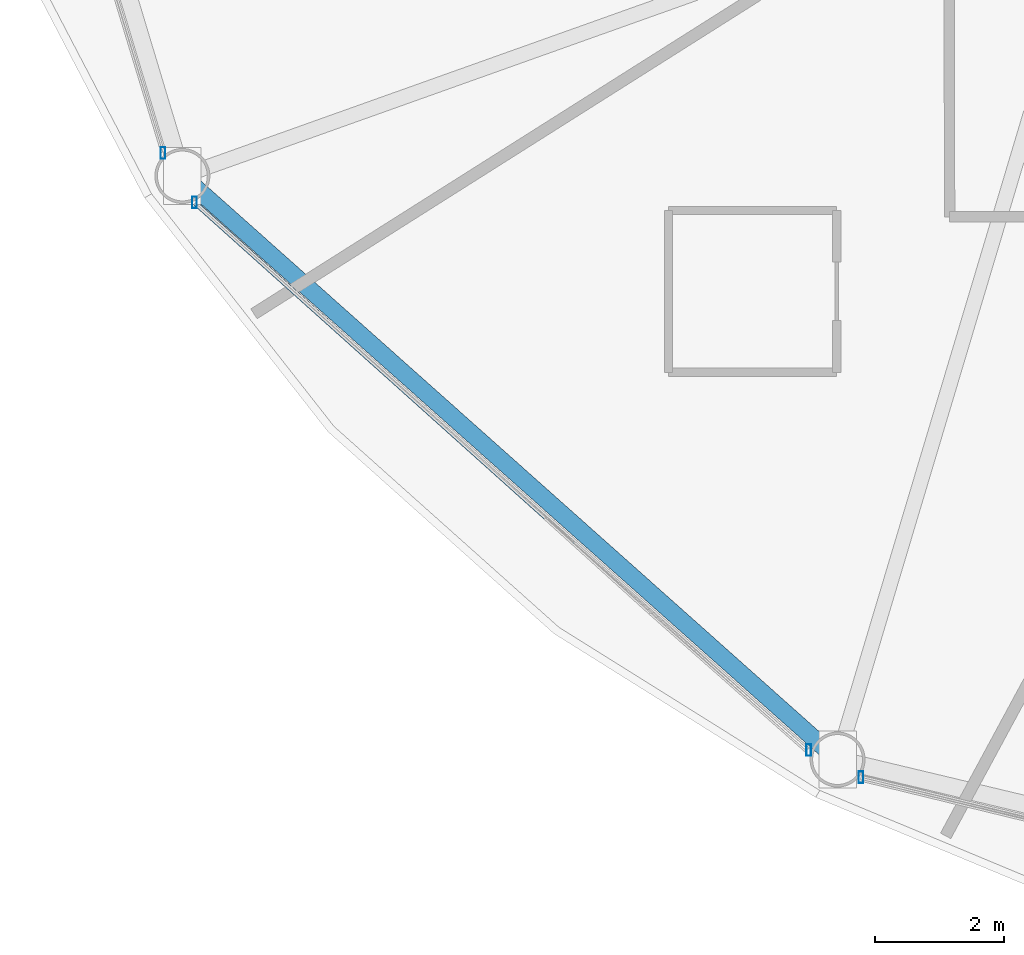
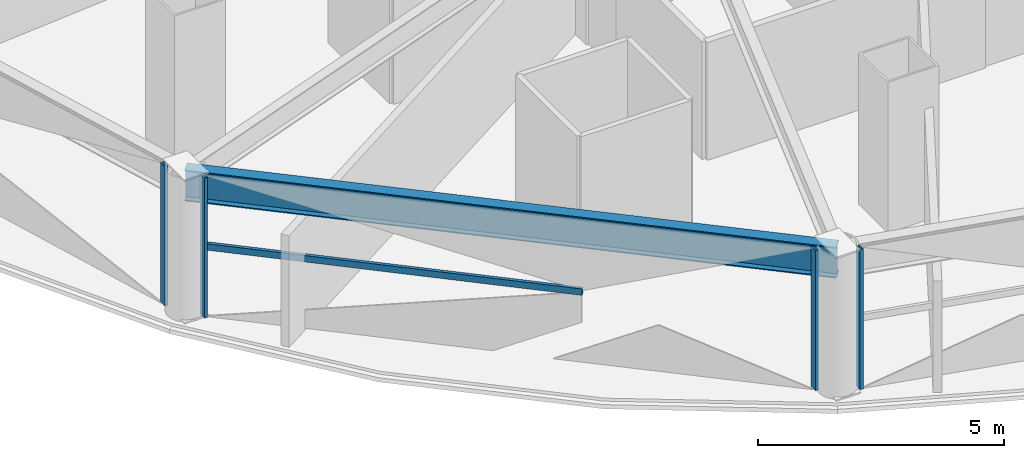
# One storey, part 2 of 33: 5 members, 1 beam, 3 elements without a shape of their own.
"""IFC4 building model written with IfcOpenShell, lengths in metres."""

from ifc_helpers import new_model, si_unit, direction, frame, origin, origin_2d, place, context, subcontext, project, spatial, hollow_rectangle, i_section, extrude, material, layer, layer_set, material_profile, profile_set, type_object, element, aggregate, save


model = new_model("IFC4")

# Units and contexts
model_context = context("Model", 3, precision=1e-05, world=origin(), true_north=direction((0.0, 1.0)))
body_context = subcontext(model_context, "Body", "Model", "MODEL_VIEW")
ifc_project = project(units=[si_unit("LENGTHUNIT", "METRE"), si_unit("AREAUNIT", "SQUARE_METRE"), si_unit("VOLUMEUNIT", "CUBIC_METRE"), si_unit("PLANEANGLEUNIT", "RADIAN"), si_unit("MASSUNIT", "GRAM", prefix="KILO")], contexts=[model_context])

# Site, building, storey
site_placement = place(None, origin())
site = spatial("IfcSite", under=ifc_project, at=site_placement, CompositionType="ELEMENT")
building_placement = place(site_placement, origin())
building = spatial("IfcBuilding", under=site, at=building_placement, Name="Vantalir Tower", CompositionType="ELEMENT")
storey_placement = place(building_placement, frame((0.0, 0.0, 68.25)))
storey = spatial("IfcBuildingStorey", under=building, at=storey_placement, Name="L16", CompositionType="ELEMENT", Elevation=68.25)

# Beam
ifc_material_1 = material(Name="Steel S460", Category="steel")
ifc_material_profile_1 = material_profile(ifc_material_1, i_section(OverallWidth=0.26806640625, OverallDepth=0.77001953125, WebThickness=0.015625, FlangeThickness=0.025390625, at=origin_2d()), Name="Steel S460")
ifc_profile_set_1 = profile_set([ifc_material_profile_1], Name="Steel S460")
beam_type = type_object("IfcBeamType", Name="BM-RG-762x267", PredefinedType="USERDEFINED", material=ifc_profile_set_1)
beam_placement = place(storey_placement, frame((7.553955078125, 12.68505859375, 3.18505859375), z_axis=(0.746762968032, -0.66509027175, 0.0), x_axis=(0.66509027175, 0.746762968032, 0.0)))
element("IfcBeam", 1, at=beam_placement, inside=storey, type_object=beam_type, Name="L16 Circumferential Ring Girder 08", ObjectType="GIRDER", PredefinedType="USERDEFINED", context=body_context, shape_type="SweptSolid", body=[
    extrude(i_section(OverallWidth=0.26806640625, OverallDepth=0.77001953125, WebThickness=0.015625, FlangeThickness=0.025390625, at=origin_2d()), origin(), (0.0, 0.0, 1.0), 13.55322265625),
])

# Curtain wall, member
ifc_material_2 = material(Name="Champagne-silver PVDF aluminium and double-silver Low-E glass", Category="aluminium")
ifc_layer = layer(ifc_material_2, 0.18994140625)
ifc_layer_set = layer_set([ifc_layer], Name="Champagne-silver PVDF aluminium and double-silver Low-E glass")
curtain_wall_type = type_object("IfcCurtainWallType", Name="CW-DIAMOND-Z1", PredefinedType="USERDEFINED", material=ifc_layer_set)
curtain_wall_1_placement = place(storey_placement, origin())
curtain_wall_1 = element("IfcCurtainWall", 2, at=curtain_wall_1_placement, inside=storey, type_object=curtain_wall_type, Name="L16 Quilted Pyramid-Diamond Curtain Wall S07", ObjectType="UNITISED CURTAIN WALL", PredefinedType="USERDEFINED")
ifc_material_3 = material(Name="Champagne-silver PVDF aluminium 6063-T6", Category="aluminium")
ifc_material_profile_2 = material_profile(ifc_material_3, hollow_rectangle(XDim=0.074951171875, YDim=0.179931640625, WallThickness=0.00390625, at=origin_2d()), Name="Champagne-silver PVDF aluminium 6063-T6")
ifc_profile_set_2 = profile_set([ifc_material_profile_2], Name="Champagne-silver PVDF aluminium 6063-T6")
member_type_1 = type_object("IfcMemberType", Name="CWM-180x75", PredefinedType="MULLION", material=ifc_profile_set_2)
member_1_placement = place(storey_placement, frame((7.2548828125, 13.0400390625, 0.044921875), z_axis=(0.0, 0.0, 1.0), x_axis=(1.0, 0.0, 0.0)))
member_1 = element("IfcMember", 3, at=member_1_placement, type_object=member_type_1, Name="CW-L16-S07 Mullion 2", PredefinedType="MULLION", context=body_context, shape_type="SweptSolid", body=[
    extrude(hollow_rectangle(XDim=0.074951171875, YDim=0.179931640625, WallThickness=0.00390625, at=origin_2d()), origin(), (0.0, 0.0, 1.0), 3.47998046875),
])
aggregate(curtain_wall_1, [member_1])

# Curtain wall, members
curtain_wall_2_placement = place(storey_placement, origin())
curtain_wall_2 = element("IfcCurtainWall", 4, at=curtain_wall_2_placement, inside=storey, type_object=curtain_wall_type, Name="L16 Quilted Pyramid-Diamond Curtain Wall S08", ObjectType="UNITISED CURTAIN WALL", PredefinedType="USERDEFINED")
member_2_placement = place(storey_placement, frame((7.740966796875, 12.277099609375, 0.044921875), z_axis=(0.0, 0.0, 1.0), x_axis=(1.0, 0.0, 0.0)))
member_2 = element("IfcMember", 5, at=member_2_placement, type_object=member_type_1, Name="CW-L16-S08 Mullion 1", PredefinedType="MULLION", context=body_context, shape_type="SweptSolid", body=[
    extrude(hollow_rectangle(XDim=0.074951171875, YDim=0.179931640625, WallThickness=0.00390625, at=origin_2d()), origin(), (0.0, 0.0, 1.0), 3.47998046875),
])
member_3_placement = place(storey_placement, frame((17.22900390625, 3.819091796875, 0.044921875), z_axis=(0.0, 0.0, 1.0), x_axis=(1.0, 0.0, 0.0)))
member_3 = element("IfcMember", 6, at=member_3_placement, type_object=member_type_1, Name="CW-L16-S08 Mullion 2", PredefinedType="MULLION", context=body_context, shape_type="SweptSolid", body=[
    extrude(hollow_rectangle(XDim=0.074951171875, YDim=0.179931640625, WallThickness=0.00390625, at=origin_2d()), origin(), (0.0, 0.0, 1.0), 3.47998046875),
])

# Curtain wall, member
curtain_wall_3_placement = place(storey_placement, origin())
curtain_wall_3 = element("IfcCurtainWall", 7, at=curtain_wall_3_placement, inside=storey, type_object=curtain_wall_type, Name="L16 Quilted Pyramid-Diamond Curtain Wall S09", ObjectType="UNITISED CURTAIN WALL", PredefinedType="USERDEFINED")
member_4_placement = place(storey_placement, frame((18.037109375, 3.39697265625, 0.044921875), z_axis=(0.0, 0.0, 1.0), x_axis=(1.0, 0.0, 0.0)))
member_4 = element("IfcMember", 8, at=member_4_placement, type_object=member_type_1, Name="CW-L16-S09 Mullion 1", PredefinedType="MULLION", context=body_context, shape_type="SweptSolid", body=[
    extrude(hollow_rectangle(XDim=0.074951171875, YDim=0.179931640625, WallThickness=0.00390625, at=origin_2d()), origin(), (0.0, 0.0, 1.0), 3.47998046875),
])
aggregate(curtain_wall_3, [member_4])

# Member
ifc_material_profile_3 = material_profile(ifc_material_3, hollow_rectangle(XDim=0.074951171875, YDim=0.159912109375, WallThickness=0.00390625, at=origin_2d()), Name="Champagne-silver PVDF aluminium 6063-T6")
ifc_profile_set_3 = profile_set([ifc_material_profile_3], Name="Champagne-silver PVDF aluminium 6063-T6")
member_type_2 = type_object("IfcMemberType", Name="CWT-160x75", PredefinedType="USERDEFINED", material=ifc_profile_set_3)
member_5_placement = place(storey_placement, frame((7.740966796875, 12.277099609375, 1.784912109375), z_axis=(0.74445313203, -0.66767472186, 0.0), x_axis=(0.66767472186, 0.74445313203, 0.0)))
member_5 = element("IfcMember", 9, at=member_5_placement, type_object=member_type_2, Name="CW-L16-S08 Pyramid Fold Ridge Transom", ObjectType="TRANSOM", PredefinedType="USERDEFINED", context=body_context, shape_type="SweptSolid", body=[
    extrude(hollow_rectangle(XDim=0.074951171875, YDim=0.159912109375, WallThickness=0.00390625, at=origin_2d()), origin(), (0.0, 0.0, 1.0), 7.879638671875),
])

aggregate(curtain_wall_2, [member_2, member_3, member_5])

save(model, "model.ifc")
